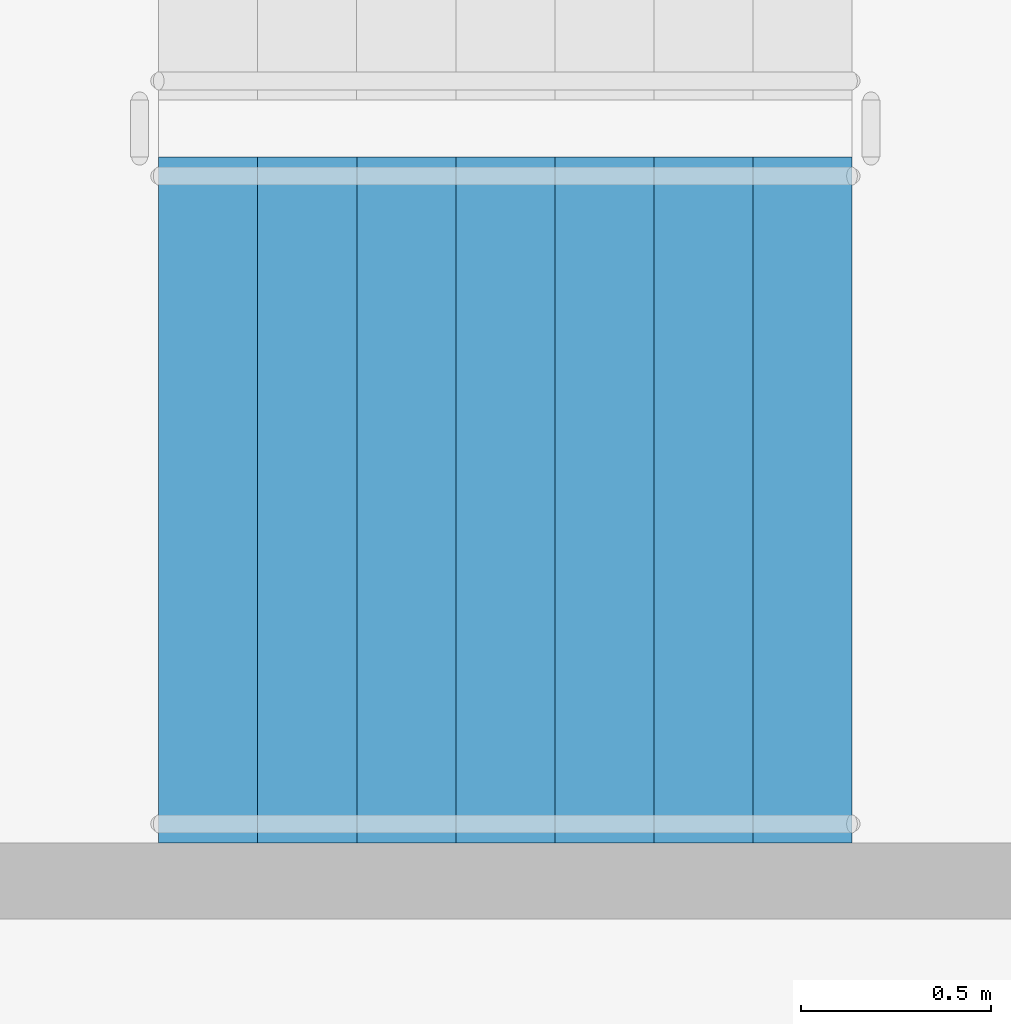
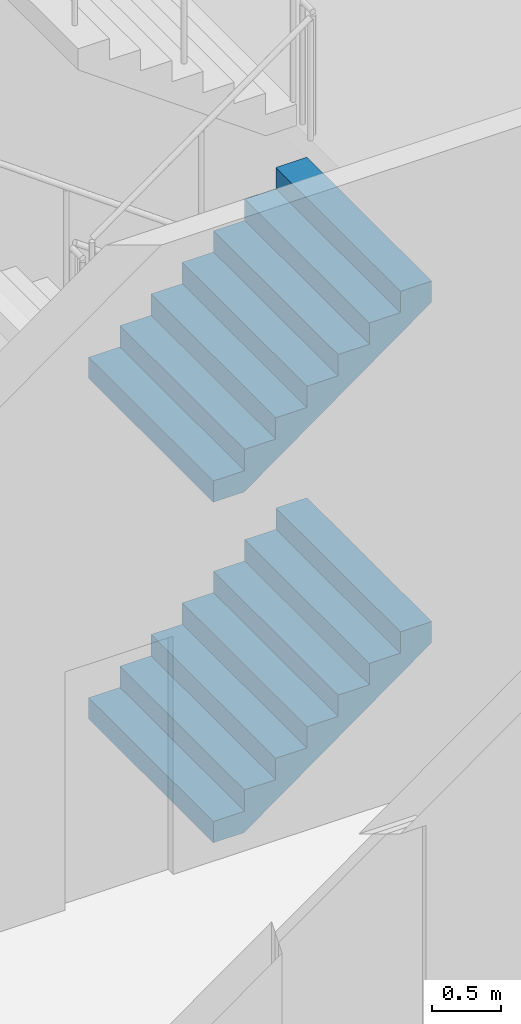
# One storey, part 42 of 75: 2 stair flights, 1 element without a shape of its own.
"""IFC4 building model written with IfcOpenShell, lengths in metres."""

from ifc_helpers import new_model, si_unit, direction, frame, origin, place, context, subcontext, project, spatial, faceted_brep, material, type_object, element, aggregate, save


model = new_model("IFC4")

# Units and contexts
model_context = context("Model", 3, precision=1e-05, world=origin(), true_north=direction((0.0, 1.0)))
body_context = subcontext(model_context, "Body", "Model", "MODEL_VIEW")
ifc_project = project(units=[si_unit("LENGTHUNIT", "METRE"), si_unit("AREAUNIT", "SQUARE_METRE"), si_unit("VOLUMEUNIT", "CUBIC_METRE"), si_unit("PLANEANGLEUNIT", "RADIAN"), si_unit("MASSUNIT", "GRAM", prefix="KILO")], contexts=[model_context])

# Site, building, storey
site_placement = place(None, origin())
site = spatial("IfcSite", under=ifc_project, at=site_placement, CompositionType="ELEMENT")
building_placement = place(site_placement, origin())
building = spatial("IfcBuilding", under=site, at=building_placement, Name="Ipe Terrace Towers", CompositionType="ELEMENT")
storey_placement = place(building_placement, origin())
storey = spatial("IfcBuildingStorey", under=building, at=storey_placement, Name="L00", CompositionType="ELEMENT", Elevation=0.0)

# Stair, stair flights
ifc_material_1 = material(Name="Concrete C30/37", Category="concrete")
stair_type = type_object("IfcStairType", Name="Protected exit stair", PredefinedType="HALF_TURN_STAIR", material=ifc_material_1)
stair_placement = place(storey_placement, origin())
stair = element("IfcStair", 1, at=stair_placement, inside=storey, type_object=stair_type, Name="L00 Podium exit stair PS7", PredefinedType="HALF_TURN_STAIR")
ifc_material_2 = material(Name="Concrete C30/37", Category="concrete")
stair_flight_type = type_object("IfcStairFlightType", Name="Exit stair flight 1800", PredefinedType="STRAIGHT", material=ifc_material_2)
stair_flight_1_placement = place(storey_placement, frame((-66.18994140625, 2.5, 0.0), z_axis=(0.0, 0.0, 1.0), x_axis=(1.0, 0.0, 0.0)))
stair_flight_1 = element("IfcStairFlight", 2, at=stair_flight_1_placement, type_object=stair_flight_type, Name="PS7 flight 1", NumberOfRisers=8, NumberOfTreads=7, PredefinedType="STRAIGHT", RiserHeight=0.1875, TreadLength=0.26, context=body_context, shape_type="Brep", body=[
    faceted_brep([(0.25634765625, -0.89990234375, 0.0), (1.820068359375, -0.89990234375, 1.127685546875), (1.820068359375, -0.89990234375, 1.3125), (1.56005859375, -0.89990234375, 1.3125), (1.56005859375, -0.89990234375, 1.125), (1.300048828125, -0.89990234375, 1.125), (1.300048828125, -0.89990234375, 0.9375), (1.0400390625, -0.89990234375, 0.9375), (1.0400390625, -0.89990234375, 0.75), (0.780029296875, -0.89990234375, 0.75), (0.780029296875, -0.89990234375, 0.5625), (0.52001953125, -0.89990234375, 0.5625), (0.52001953125, -0.89990234375, 0.375), (0.260009765625, -0.89990234375, 0.375), (0.260009765625, -0.89990234375, 0.1875), (0.0, -0.89990234375, 0.1875), (0.0, -0.89990234375, 0.0), (0.0, 0.89990234375, 0.0), (0.0, 0.89990234375, 0.1875), (0.260009765625, 0.89990234375, 0.1875), (0.260009765625, 0.89990234375, 0.375), (0.52001953125, 0.89990234375, 0.375), (0.52001953125, 0.89990234375, 0.5625), (0.780029296875, 0.89990234375, 0.5625), (0.780029296875, 0.89990234375, 0.75), (1.0400390625, 0.89990234375, 0.75), (1.0400390625, 0.89990234375, 0.9375), (1.300048828125, 0.89990234375, 0.9375), (1.300048828125, 0.89990234375, 1.125), (1.56005859375, 0.89990234375, 1.125), (1.56005859375, 0.89990234375, 1.3125), (1.820068359375, 0.89990234375, 1.3125), (1.820068359375, 0.89990234375, 1.127685546875), (0.25634765625, 0.89990234375, 0.0), (0.0, -0.300048828125, 0.1875), (0.0, -0.1201171875, 0.1875), (0.0, -0.06005859375, 0.1875), (0.0, -0.030029296875, 0.1875), (0.0, -0.010009765625, 0.1875), (0.0, 0.0, 0.1875), (0.0, 0.010009765625, 0.1875), (0.0, 0.030029296875, 0.1875), (0.0, 0.06005859375, 0.1875), (0.0, 0.1201171875, 0.1875), (0.0, 0.300048828125, 0.1875), (0.0, 0.300048828125, 0.0), (0.0, 0.1201171875, 0.0), (0.0, 0.06005859375, 0.0), (0.0, 0.030029296875, 0.0), (0.0, 0.010009765625, 0.0), (0.0, 0.0, 0.0), (0.0, -0.010009765625, 0.0), (0.0, -0.030029296875, 0.0), (0.0, -0.06005859375, 0.0), (0.0, -0.1201171875, 0.0), (0.0, -0.300048828125, 0.0), (0.260009765625, -0.300048828125, 0.1875), (0.260009765625, -0.1201171875, 0.1875), (0.260009765625, -0.06005859375, 0.1875), (0.260009765625, -0.030029296875, 0.1875), (0.260009765625, -0.010009765625, 0.1875), (0.260009765625, 0.0, 0.1875), (0.260009765625, 0.010009765625, 0.1875), (0.260009765625, 0.030029296875, 0.1875), (0.260009765625, 0.06005859375, 0.1875), (0.260009765625, 0.1201171875, 0.1875), (0.260009765625, 0.300048828125, 0.1875), (0.260009765625, -0.300048828125, 0.375), (0.260009765625, -0.1201171875, 0.375), (0.260009765625, -0.06005859375, 0.375), (0.260009765625, -0.030029296875, 0.375), (0.260009765625, -0.010009765625, 0.375), (0.260009765625, 0.0, 0.375), (0.260009765625, 0.010009765625, 0.375), (0.260009765625, 0.030029296875, 0.375), (0.260009765625, 0.06005859375, 0.375), (0.260009765625, 0.1201171875, 0.375), (0.260009765625, 0.300048828125, 0.375), (0.52001953125, -0.300048828125, 0.375), (0.52001953125, -0.1201171875, 0.375), (0.52001953125, -0.06005859375, 0.375), (0.52001953125, -0.030029296875, 0.375), (0.52001953125, -0.010009765625, 0.375), (0.52001953125, 0.0, 0.375), (0.52001953125, 0.010009765625, 0.375), (0.52001953125, 0.030029296875, 0.375), (0.52001953125, 0.06005859375, 0.375), (0.52001953125, 0.1201171875, 0.375), (0.52001953125, 0.300048828125, 0.375), (0.52001953125, -0.300048828125, 0.5625), (0.52001953125, -0.1201171875, 0.5625), (0.52001953125, -0.06005859375, 0.5625), (0.52001953125, -0.030029296875, 0.5625), (0.52001953125, -0.010009765625, 0.5625), (0.52001953125, 0.0, 0.5625), (0.52001953125, 0.010009765625, 0.5625), (0.52001953125, 0.030029296875, 0.5625), (0.52001953125, 0.06005859375, 0.5625), (0.52001953125, 0.1201171875, 0.5625), (0.52001953125, 0.300048828125, 0.5625), (0.780029296875, -0.300048828125, 0.5625), (0.780029296875, -0.1201171875, 0.5625), (0.780029296875, -0.06005859375, 0.5625), (0.780029296875, -0.030029296875, 0.5625), (0.780029296875, -0.010009765625, 0.5625), (0.780029296875, 0.0, 0.5625), (0.780029296875, 0.010009765625, 0.5625), (0.780029296875, 0.030029296875, 0.5625), (0.780029296875, 0.06005859375, 0.5625), (0.780029296875, 0.1201171875, 0.5625), (0.780029296875, 0.300048828125, 0.5625), (0.780029296875, -0.300048828125, 0.75), (0.780029296875, -0.1201171875, 0.75), (0.780029296875, -0.06005859375, 0.75), (0.780029296875, -0.030029296875, 0.75), (0.780029296875, -0.010009765625, 0.75), (0.780029296875, 0.0, 0.75), (0.780029296875, 0.010009765625, 0.75), (0.780029296875, 0.030029296875, 0.75), (0.780029296875, 0.06005859375, 0.75), (0.780029296875, 0.1201171875, 0.75), (0.780029296875, 0.300048828125, 0.75), (1.0400390625, -0.300048828125, 0.75), (1.0400390625, -0.1201171875, 0.75), (1.0400390625, -0.06005859375, 0.75), (1.0400390625, -0.030029296875, 0.75), (1.0400390625, -0.010009765625, 0.75), (1.0400390625, 0.0, 0.75), (1.0400390625, 0.010009765625, 0.75), (1.0400390625, 0.030029296875, 0.75), (1.0400390625, 0.06005859375, 0.75), (1.0400390625, 0.1201171875, 0.75), (1.0400390625, 0.300048828125, 0.75), (1.0400390625, -0.300048828125, 0.9375), (1.0400390625, -0.1201171875, 0.9375), (1.0400390625, -0.06005859375, 0.9375), (1.0400390625, -0.030029296875, 0.9375), (1.0400390625, -0.010009765625, 0.9375), (1.0400390625, 0.0, 0.9375), (1.0400390625, 0.010009765625, 0.9375), (1.0400390625, 0.030029296875, 0.9375), (1.0400390625, 0.06005859375, 0.9375), (1.0400390625, 0.1201171875, 0.9375), (1.0400390625, 0.300048828125, 0.9375), (1.300048828125, -0.300048828125, 0.9375), (1.300048828125, -0.1201171875, 0.9375), (1.300048828125, -0.06005859375, 0.9375), (1.300048828125, -0.030029296875, 0.9375), (1.300048828125, -0.010009765625, 0.9375), (1.300048828125, 0.0, 0.9375), (1.300048828125, 0.010009765625, 0.9375), (1.300048828125, 0.030029296875, 0.9375), (1.300048828125, 0.06005859375, 0.9375), (1.300048828125, 0.1201171875, 0.9375), (1.300048828125, 0.300048828125, 0.9375), (1.300048828125, -0.300048828125, 1.125), (1.300048828125, -0.1201171875, 1.125), (1.300048828125, -0.06005859375, 1.125), (1.300048828125, -0.030029296875, 1.125), (1.300048828125, -0.010009765625, 1.125), (1.300048828125, 0.0, 1.125), (1.300048828125, 0.010009765625, 1.125), (1.300048828125, 0.030029296875, 1.125), (1.300048828125, 0.06005859375, 1.125), (1.300048828125, 0.1201171875, 1.125), (1.300048828125, 0.300048828125, 1.125), (1.56005859375, -0.300048828125, 1.125), (1.56005859375, -0.1201171875, 1.125), (1.56005859375, -0.06005859375, 1.125), (1.56005859375, -0.030029296875, 1.125), (1.56005859375, -0.010009765625, 1.125), (1.56005859375, 0.0, 1.125), (1.56005859375, 0.010009765625, 1.125), (1.56005859375, 0.030029296875, 1.125), (1.56005859375, 0.06005859375, 1.125), (1.56005859375, 0.1201171875, 1.125), (1.56005859375, 0.300048828125, 1.125), (1.56005859375, -0.300048828125, 1.3125), (1.56005859375, -0.1201171875, 1.3125), (1.56005859375, -0.06005859375, 1.3125), (1.56005859375, -0.030029296875, 1.3125), (1.56005859375, -0.010009765625, 1.3125), (1.56005859375, 0.0, 1.3125), (1.56005859375, 0.010009765625, 1.3125), (1.56005859375, 0.030029296875, 1.3125), (1.56005859375, 0.06005859375, 1.3125), (1.56005859375, 0.1201171875, 1.3125), (1.56005859375, 0.300048828125, 1.3125), (1.820068359375, -0.300048828125, 1.3125), (1.820068359375, -0.1201171875, 1.3125), (1.820068359375, -0.06005859375, 1.3125), (1.820068359375, -0.030029296875, 1.3125), (1.820068359375, -0.010009765625, 1.3125), (1.820068359375, 0.0, 1.3125), (1.820068359375, 0.010009765625, 1.3125), (1.820068359375, 0.030029296875, 1.3125), (1.820068359375, 0.06005859375, 1.3125), (1.820068359375, 0.1201171875, 1.3125), (1.820068359375, 0.300048828125, 1.3125), (1.820068359375, -0.300048828125, 1.127685546875), (1.820068359375, -0.1201171875, 1.127685546875), (1.820068359375, -0.06005859375, 1.127685546875), (1.820068359375, -0.030029296875, 1.127685546875), (1.820068359375, -0.010009765625, 1.127685546875), (1.820068359375, 0.0, 1.127685546875), (1.820068359375, 0.010009765625, 1.127685546875), (1.820068359375, 0.030029296875, 1.127685546875), (1.820068359375, 0.06005859375, 1.127685546875), (1.820068359375, 0.1201171875, 1.127685546875), (1.820068359375, 0.300048828125, 1.127685546875), (0.25634765625, -0.300048828125, 0.0), (0.25634765625, -0.1201171875, 0.0), (0.25634765625, -0.06005859375, 0.0), (0.25634765625, -0.030029296875, 0.0), (0.25634765625, -0.010009765625, 0.0), (0.25634765625, 0.0, 0.0), (0.25634765625, 0.010009765625, 0.0), (0.25634765625, 0.030029296875, 0.0), (0.25634765625, 0.06005859375, 0.0), (0.25634765625, 0.1201171875, 0.0), (0.25634765625, 0.300048828125, 0.0)], [[[0, 1, 2, 3, 4, 5, 6, 7, 8, 9, 10, 11, 12, 13, 14, 15, 16]], [[17, 18, 19, 20, 21, 22, 23, 24, 25, 26, 27, 28, 29, 30, 31, 32, 33]], [[15, 34, 35, 36, 37, 38, 39, 40, 41, 42, 43, 44, 18, 17, 45, 46, 47, 48, 49, 50, 51, 52, 53, 54, 55, 16]], [[14, 56, 57, 58, 59, 60, 61, 62, 63, 64, 65, 66, 19, 18, 44, 43, 42, 41, 40, 39, 38, 37, 36, 35, 34, 15]], [[13, 67, 68, 69, 70, 71, 72, 73, 74, 75, 76, 77, 20, 19, 66, 65, 64, 63, 62, 61, 60, 59, 58, 57, 56, 14]], [[12, 78, 79, 80, 81, 82, 83, 84, 85, 86, 87, 88, 21, 20, 77, 76, 75, 74, 73, 72, 71, 70, 69, 68, 67, 13]], [[11, 89, 90, 91, 92, 93, 94, 95, 96, 97, 98, 99, 22, 21, 88, 87, 86, 85, 84, 83, 82, 81, 80, 79, 78, 12]], [[10, 100, 101, 102, 103, 104, 105, 106, 107, 108, 109, 110, 23, 22, 99, 98, 97, 96, 95, 94, 93, 92, 91, 90, 89, 11]], [[9, 111, 112, 113, 114, 115, 116, 117, 118, 119, 120, 121, 24, 23, 110, 109, 108, 107, 106, 105, 104, 103, 102, 101, 100, 10]], [[8, 122, 123, 124, 125, 126, 127, 128, 129, 130, 131, 132, 25, 24, 121, 120, 119, 118, 117, 116, 115, 114, 113, 112, 111, 9]], [[7, 133, 134, 135, 136, 137, 138, 139, 140, 141, 142, 143, 26, 25, 132, 131, 130, 129, 128, 127, 126, 125, 124, 123, 122, 8]], [[6, 144, 145, 146, 147, 148, 149, 150, 151, 152, 153, 154, 27, 26, 143, 142, 141, 140, 139, 138, 137, 136, 135, 134, 133, 7]], [[5, 155, 156, 157, 158, 159, 160, 161, 162, 163, 164, 165, 28, 27, 154, 153, 152, 151, 150, 149, 148, 147, 146, 145, 144, 6]], [[4, 166, 167, 168, 169, 170, 171, 172, 173, 174, 175, 176, 29, 28, 165, 164, 163, 162, 161, 160, 159, 158, 157, 156, 155, 5]], [[3, 177, 178, 179, 180, 181, 182, 183, 184, 185, 186, 187, 30, 29, 176, 175, 174, 173, 172, 171, 170, 169, 168, 167, 166, 4]], [[2, 188, 189, 190, 191, 192, 193, 194, 195, 196, 197, 198, 31, 30, 187, 186, 185, 184, 183, 182, 181, 180, 179, 178, 177, 3]], [[1, 199, 200, 201, 202, 203, 204, 205, 206, 207, 208, 209, 32, 31, 198, 197, 196, 195, 194, 193, 192, 191, 190, 189, 188, 2]], [[0, 210, 211, 212, 213, 214, 215, 216, 217, 218, 219, 220, 33, 32, 209, 208, 207, 206, 205, 204, 203, 202, 201, 200, 199, 1]], [[16, 55, 54, 53, 52, 51, 50, 49, 48, 47, 46, 45, 17, 33, 220, 219, 218, 217, 216, 215, 214, 213, 212, 211, 210, 0]]]),
])
stair_flight_2_placement = place(storey_placement, frame((-66.18994140625, 2.5, 3.0), z_axis=(0.0, 0.0, 1.0), x_axis=(1.0, 0.0, 0.0)))
stair_flight_2 = element("IfcStairFlight", 3, at=stair_flight_2_placement, type_object=stair_flight_type, Name="PS7 flight 3", NumberOfRisers=8, NumberOfTreads=7, PredefinedType="STRAIGHT", RiserHeight=0.1875, TreadLength=0.26, context=body_context, shape_type="Brep", body=[
    faceted_brep([(0.25634765625, -0.89990234375, 0.0), (1.820068359375, -0.89990234375, 1.127685546875), (1.820068359375, -0.89990234375, 1.3125), (1.56005859375, -0.89990234375, 1.3125), (1.56005859375, -0.89990234375, 1.125), (1.300048828125, -0.89990234375, 1.125), (1.300048828125, -0.89990234375, 0.9375), (1.0400390625, -0.89990234375, 0.9375), (1.0400390625, -0.89990234375, 0.75), (0.780029296875, -0.89990234375, 0.75), (0.780029296875, -0.89990234375, 0.5625), (0.52001953125, -0.89990234375, 0.5625), (0.52001953125, -0.89990234375, 0.375), (0.260009765625, -0.89990234375, 0.375), (0.260009765625, -0.89990234375, 0.1875), (0.0, -0.89990234375, 0.1875), (0.0, -0.89990234375, 0.0), (0.0, 0.89990234375, 0.0), (0.0, 0.89990234375, 0.1875), (0.260009765625, 0.89990234375, 0.1875), (0.260009765625, 0.89990234375, 0.375), (0.52001953125, 0.89990234375, 0.375), (0.52001953125, 0.89990234375, 0.5625), (0.780029296875, 0.89990234375, 0.5625), (0.780029296875, 0.89990234375, 0.75), (1.0400390625, 0.89990234375, 0.75), (1.0400390625, 0.89990234375, 0.9375), (1.300048828125, 0.89990234375, 0.9375), (1.300048828125, 0.89990234375, 1.125), (1.56005859375, 0.89990234375, 1.125), (1.56005859375, 0.89990234375, 1.3125), (1.820068359375, 0.89990234375, 1.3125), (1.820068359375, 0.89990234375, 1.127685546875), (0.25634765625, 0.89990234375, 0.0), (0.0, -0.300048828125, 0.1875), (0.0, -0.1201171875, 0.1875), (0.0, -0.06005859375, 0.1875), (0.0, -0.030029296875, 0.1875), (0.0, -0.010009765625, 0.1875), (0.0, 0.0, 0.1875), (0.0, 0.010009765625, 0.1875), (0.0, 0.030029296875, 0.1875), (0.0, 0.06005859375, 0.1875), (0.0, 0.1201171875, 0.1875), (0.0, 0.300048828125, 0.1875), (0.0, 0.300048828125, 0.0), (0.0, 0.1201171875, 0.0), (0.0, 0.06005859375, 0.0), (0.0, 0.030029296875, 0.0), (0.0, 0.010009765625, 0.0), (0.0, 0.0, 0.0), (0.0, -0.010009765625, 0.0), (0.0, -0.030029296875, 0.0), (0.0, -0.06005859375, 0.0), (0.0, -0.1201171875, 0.0), (0.0, -0.300048828125, 0.0), (0.260009765625, -0.300048828125, 0.1875), (0.260009765625, -0.1201171875, 0.1875), (0.260009765625, -0.06005859375, 0.1875), (0.260009765625, -0.030029296875, 0.1875), (0.260009765625, -0.010009765625, 0.1875), (0.260009765625, 0.0, 0.1875), (0.260009765625, 0.010009765625, 0.1875), (0.260009765625, 0.030029296875, 0.1875), (0.260009765625, 0.06005859375, 0.1875), (0.260009765625, 0.1201171875, 0.1875), (0.260009765625, 0.300048828125, 0.1875), (0.260009765625, -0.300048828125, 0.375), (0.260009765625, -0.1201171875, 0.375), (0.260009765625, -0.06005859375, 0.375), (0.260009765625, -0.030029296875, 0.375), (0.260009765625, -0.010009765625, 0.375), (0.260009765625, 0.0, 0.375), (0.260009765625, 0.010009765625, 0.375), (0.260009765625, 0.030029296875, 0.375), (0.260009765625, 0.06005859375, 0.375), (0.260009765625, 0.1201171875, 0.375), (0.260009765625, 0.300048828125, 0.375), (0.52001953125, -0.300048828125, 0.375), (0.52001953125, -0.1201171875, 0.375), (0.52001953125, -0.06005859375, 0.375), (0.52001953125, -0.030029296875, 0.375), (0.52001953125, -0.010009765625, 0.375), (0.52001953125, 0.0, 0.375), (0.52001953125, 0.010009765625, 0.375), (0.52001953125, 0.030029296875, 0.375), (0.52001953125, 0.06005859375, 0.375), (0.52001953125, 0.1201171875, 0.375), (0.52001953125, 0.300048828125, 0.375), (0.52001953125, -0.300048828125, 0.5625), (0.52001953125, -0.1201171875, 0.5625), (0.52001953125, -0.06005859375, 0.5625), (0.52001953125, -0.030029296875, 0.5625), (0.52001953125, -0.010009765625, 0.5625), (0.52001953125, 0.0, 0.5625), (0.52001953125, 0.010009765625, 0.5625), (0.52001953125, 0.030029296875, 0.5625), (0.52001953125, 0.06005859375, 0.5625), (0.52001953125, 0.1201171875, 0.5625), (0.52001953125, 0.300048828125, 0.5625), (0.780029296875, -0.300048828125, 0.5625), (0.780029296875, -0.1201171875, 0.5625), (0.780029296875, -0.06005859375, 0.5625), (0.780029296875, -0.030029296875, 0.5625), (0.780029296875, -0.010009765625, 0.5625), (0.780029296875, 0.0, 0.5625), (0.780029296875, 0.010009765625, 0.5625), (0.780029296875, 0.030029296875, 0.5625), (0.780029296875, 0.06005859375, 0.5625), (0.780029296875, 0.1201171875, 0.5625), (0.780029296875, 0.300048828125, 0.5625), (0.780029296875, -0.300048828125, 0.75), (0.780029296875, -0.1201171875, 0.75), (0.780029296875, -0.06005859375, 0.75), (0.780029296875, -0.030029296875, 0.75), (0.780029296875, -0.010009765625, 0.75), (0.780029296875, 0.0, 0.75), (0.780029296875, 0.010009765625, 0.75), (0.780029296875, 0.030029296875, 0.75), (0.780029296875, 0.06005859375, 0.75), (0.780029296875, 0.1201171875, 0.75), (0.780029296875, 0.300048828125, 0.75), (1.0400390625, -0.300048828125, 0.75), (1.0400390625, -0.1201171875, 0.75), (1.0400390625, -0.06005859375, 0.75), (1.0400390625, -0.030029296875, 0.75), (1.0400390625, -0.010009765625, 0.75), (1.0400390625, 0.0, 0.75), (1.0400390625, 0.010009765625, 0.75), (1.0400390625, 0.030029296875, 0.75), (1.0400390625, 0.06005859375, 0.75), (1.0400390625, 0.1201171875, 0.75), (1.0400390625, 0.300048828125, 0.75), (1.0400390625, -0.300048828125, 0.9375), (1.0400390625, -0.1201171875, 0.9375), (1.0400390625, -0.06005859375, 0.9375), (1.0400390625, -0.030029296875, 0.9375), (1.0400390625, -0.010009765625, 0.9375), (1.0400390625, 0.0, 0.9375), (1.0400390625, 0.010009765625, 0.9375), (1.0400390625, 0.030029296875, 0.9375), (1.0400390625, 0.06005859375, 0.9375), (1.0400390625, 0.1201171875, 0.9375), (1.0400390625, 0.300048828125, 0.9375), (1.300048828125, -0.300048828125, 0.9375), (1.300048828125, -0.1201171875, 0.9375), (1.300048828125, -0.06005859375, 0.9375), (1.300048828125, -0.030029296875, 0.9375), (1.300048828125, -0.010009765625, 0.9375), (1.300048828125, 0.0, 0.9375), (1.300048828125, 0.010009765625, 0.9375), (1.300048828125, 0.030029296875, 0.9375), (1.300048828125, 0.06005859375, 0.9375), (1.300048828125, 0.1201171875, 0.9375), (1.300048828125, 0.300048828125, 0.9375), (1.300048828125, -0.300048828125, 1.125), (1.300048828125, -0.1201171875, 1.125), (1.300048828125, -0.06005859375, 1.125), (1.300048828125, -0.030029296875, 1.125), (1.300048828125, -0.010009765625, 1.125), (1.300048828125, 0.0, 1.125), (1.300048828125, 0.010009765625, 1.125), (1.300048828125, 0.030029296875, 1.125), (1.300048828125, 0.06005859375, 1.125), (1.300048828125, 0.1201171875, 1.125), (1.300048828125, 0.300048828125, 1.125), (1.56005859375, -0.300048828125, 1.125), (1.56005859375, -0.1201171875, 1.125), (1.56005859375, -0.06005859375, 1.125), (1.56005859375, -0.030029296875, 1.125), (1.56005859375, -0.010009765625, 1.125), (1.56005859375, 0.0, 1.125), (1.56005859375, 0.010009765625, 1.125), (1.56005859375, 0.030029296875, 1.125), (1.56005859375, 0.06005859375, 1.125), (1.56005859375, 0.1201171875, 1.125), (1.56005859375, 0.300048828125, 1.125), (1.56005859375, -0.300048828125, 1.3125), (1.56005859375, -0.1201171875, 1.3125), (1.56005859375, -0.06005859375, 1.3125), (1.56005859375, -0.030029296875, 1.3125), (1.56005859375, -0.010009765625, 1.3125), (1.56005859375, 0.0, 1.3125), (1.56005859375, 0.010009765625, 1.3125), (1.56005859375, 0.030029296875, 1.3125), (1.56005859375, 0.06005859375, 1.3125), (1.56005859375, 0.1201171875, 1.3125), (1.56005859375, 0.300048828125, 1.3125), (1.820068359375, -0.300048828125, 1.3125), (1.820068359375, -0.1201171875, 1.3125), (1.820068359375, -0.06005859375, 1.3125), (1.820068359375, -0.030029296875, 1.3125), (1.820068359375, -0.010009765625, 1.3125), (1.820068359375, 0.0, 1.3125), (1.820068359375, 0.010009765625, 1.3125), (1.820068359375, 0.030029296875, 1.3125), (1.820068359375, 0.06005859375, 1.3125), (1.820068359375, 0.1201171875, 1.3125), (1.820068359375, 0.300048828125, 1.3125), (1.820068359375, -0.300048828125, 1.127685546875), (1.820068359375, -0.1201171875, 1.127685546875), (1.820068359375, -0.06005859375, 1.127685546875), (1.820068359375, -0.030029296875, 1.127685546875), (1.820068359375, -0.010009765625, 1.127685546875), (1.820068359375, 0.0, 1.127685546875), (1.820068359375, 0.010009765625, 1.127685546875), (1.820068359375, 0.030029296875, 1.127685546875), (1.820068359375, 0.06005859375, 1.127685546875), (1.820068359375, 0.1201171875, 1.127685546875), (1.820068359375, 0.300048828125, 1.127685546875), (0.25634765625, -0.300048828125, 0.0), (0.25634765625, -0.1201171875, 0.0), (0.25634765625, -0.06005859375, 0.0), (0.25634765625, -0.030029296875, 0.0), (0.25634765625, -0.010009765625, 0.0), (0.25634765625, 0.0, 0.0), (0.25634765625, 0.010009765625, 0.0), (0.25634765625, 0.030029296875, 0.0), (0.25634765625, 0.06005859375, 0.0), (0.25634765625, 0.1201171875, 0.0), (0.25634765625, 0.300048828125, 0.0)], [[[0, 1, 2, 3, 4, 5, 6, 7, 8, 9, 10, 11, 12, 13, 14, 15, 16]], [[17, 18, 19, 20, 21, 22, 23, 24, 25, 26, 27, 28, 29, 30, 31, 32, 33]], [[15, 34, 35, 36, 37, 38, 39, 40, 41, 42, 43, 44, 18, 17, 45, 46, 47, 48, 49, 50, 51, 52, 53, 54, 55, 16]], [[14, 56, 57, 58, 59, 60, 61, 62, 63, 64, 65, 66, 19, 18, 44, 43, 42, 41, 40, 39, 38, 37, 36, 35, 34, 15]], [[13, 67, 68, 69, 70, 71, 72, 73, 74, 75, 76, 77, 20, 19, 66, 65, 64, 63, 62, 61, 60, 59, 58, 57, 56, 14]], [[12, 78, 79, 80, 81, 82, 83, 84, 85, 86, 87, 88, 21, 20, 77, 76, 75, 74, 73, 72, 71, 70, 69, 68, 67, 13]], [[11, 89, 90, 91, 92, 93, 94, 95, 96, 97, 98, 99, 22, 21, 88, 87, 86, 85, 84, 83, 82, 81, 80, 79, 78, 12]], [[10, 100, 101, 102, 103, 104, 105, 106, 107, 108, 109, 110, 23, 22, 99, 98, 97, 96, 95, 94, 93, 92, 91, 90, 89, 11]], [[9, 111, 112, 113, 114, 115, 116, 117, 118, 119, 120, 121, 24, 23, 110, 109, 108, 107, 106, 105, 104, 103, 102, 101, 100, 10]], [[8, 122, 123, 124, 125, 126, 127, 128, 129, 130, 131, 132, 25, 24, 121, 120, 119, 118, 117, 116, 115, 114, 113, 112, 111, 9]], [[7, 133, 134, 135, 136, 137, 138, 139, 140, 141, 142, 143, 26, 25, 132, 131, 130, 129, 128, 127, 126, 125, 124, 123, 122, 8]], [[6, 144, 145, 146, 147, 148, 149, 150, 151, 152, 153, 154, 27, 26, 143, 142, 141, 140, 139, 138, 137, 136, 135, 134, 133, 7]], [[5, 155, 156, 157, 158, 159, 160, 161, 162, 163, 164, 165, 28, 27, 154, 153, 152, 151, 150, 149, 148, 147, 146, 145, 144, 6]], [[4, 166, 167, 168, 169, 170, 171, 172, 173, 174, 175, 176, 29, 28, 165, 164, 163, 162, 161, 160, 159, 158, 157, 156, 155, 5]], [[3, 177, 178, 179, 180, 181, 182, 183, 184, 185, 186, 187, 30, 29, 176, 175, 174, 173, 172, 171, 170, 169, 168, 167, 166, 4]], [[2, 188, 189, 190, 191, 192, 193, 194, 195, 196, 197, 198, 31, 30, 187, 186, 185, 184, 183, 182, 181, 180, 179, 178, 177, 3]], [[1, 199, 200, 201, 202, 203, 204, 205, 206, 207, 208, 209, 32, 31, 198, 197, 196, 195, 194, 193, 192, 191, 190, 189, 188, 2]], [[0, 210, 211, 212, 213, 214, 215, 216, 217, 218, 219, 220, 33, 32, 209, 208, 207, 206, 205, 204, 203, 202, 201, 200, 199, 1]], [[16, 55, 54, 53, 52, 51, 50, 49, 48, 47, 46, 45, 17, 33, 220, 219, 218, 217, 216, 215, 214, 213, 212, 211, 210, 0]]]),
])
aggregate(stair, [stair_flight_1, stair_flight_2])

save(model, "model.ifc")
